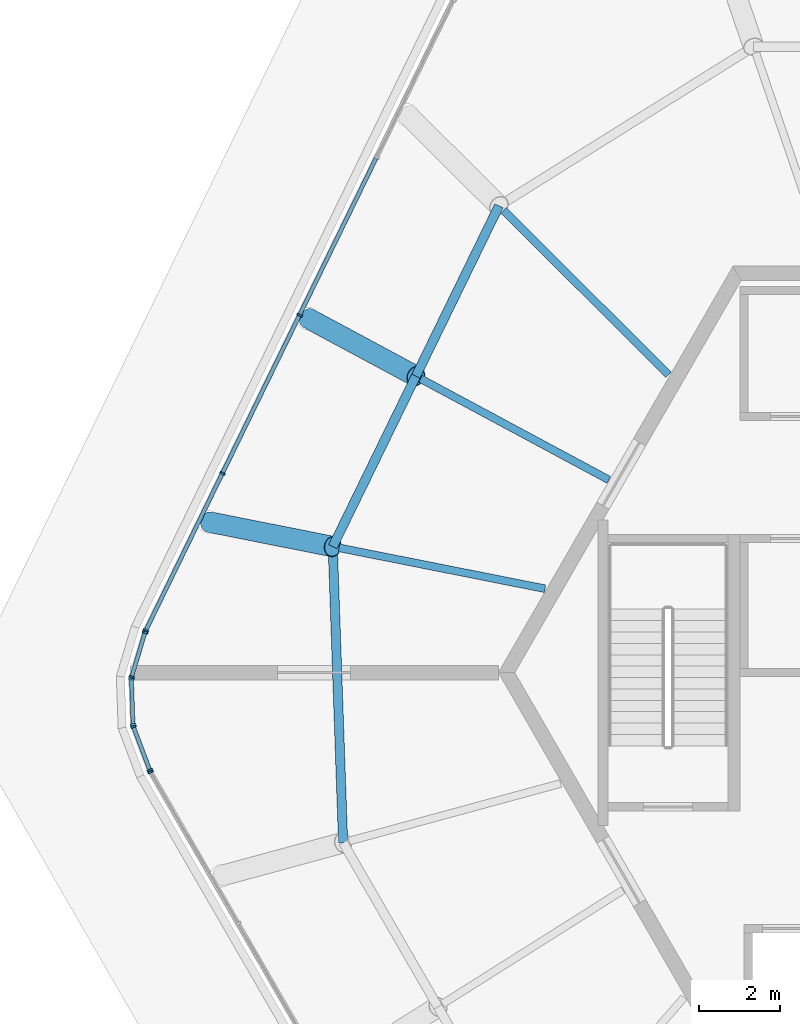
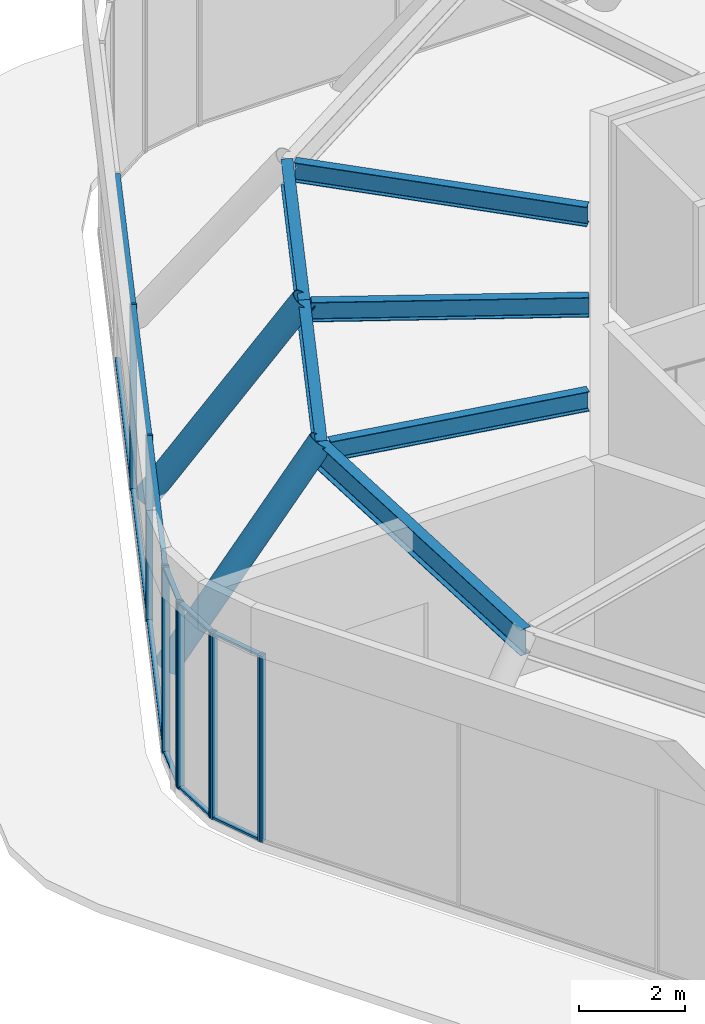
# One storey, part 3 of 12: 24 members, 6 beams, 5 elements without a shape of their own.
"""IFC4 building model written with IfcOpenShell, lengths in metres."""

from ifc_helpers import new_model, si_unit, direction, frame, origin, origin_2d, place, context, subcontext, project, spatial, rectangle, hollow_circle, i_section, extrude, material, material_profile, profile_set, type_object, element, aggregate, save


model = new_model("IFC4")

# Units and contexts
model_context = context("Model", 3, precision=1e-05, world=origin(), true_north=direction((0.0, 1.0)))
body_context = subcontext(model_context, "Body", "Model", "MODEL_VIEW")
ifc_project = project(units=[si_unit("LENGTHUNIT", "METRE"), si_unit("AREAUNIT", "SQUARE_METRE"), si_unit("VOLUMEUNIT", "CUBIC_METRE"), si_unit("PLANEANGLEUNIT", "RADIAN"), si_unit("MASSUNIT", "GRAM", prefix="KILO")], contexts=[model_context])

# Site, building, storey
site_placement = place(None, origin())
site = spatial("IfcSite", under=ifc_project, at=site_placement, CompositionType="ELEMENT")
building_placement = place(site_placement, origin())
building = spatial("IfcBuilding", under=site, at=building_placement, Name="Tarnside Tower", CompositionType="ELEMENT")
storey_placement = place(building_placement, frame((0.0, 0.0, 392.699951171875)))
storey = spatial("IfcBuildingStorey", under=building, at=storey_placement, Name="L93", CompositionType="ELEMENT", Elevation=392.699951171875)

# Curtain wall, member
ifc_material_1 = material(Name="Crown glazing wall", Category="glass")
curtain_wall_type = type_object("IfcCurtainWallType", Name="Crown glazing wall", PredefinedType="NOTDEFINED", material=ifc_material_1)
curtain_wall_1_placement = place(storey_placement, origin())
curtain_wall_1 = element("IfcCurtainWall", 1, at=curtain_wall_1_placement, inside=storey, type_object=curtain_wall_type, Name="Crown glazing L93 16", PredefinedType="NOTDEFINED")
ifc_material_2 = material(Name="Aluminium alloy 6063", Category="aluminium")
ifc_material_profile_1 = material_profile(ifc_material_2, rectangle(XDim=0.139892578125, YDim=0.050048828125, at=origin_2d()), Name="Crown glazing mullion 50 x 140")
ifc_profile_set_1 = profile_set([ifc_material_profile_1], Name="Aluminium alloy 6063")
member_type_1 = type_object("IfcMemberType", Name="Crown glazing mullion 50 x 140", PredefinedType="MULLION", material=ifc_profile_set_1)
member_1_placement = place(storey_placement, frame((-20.100341796875, -2.445068359375, 0.0), z_axis=(0.0, 0.0, 1.0), x_axis=(-0.866025403758, -0.500000000045, 0.0)))
member_1 = element("IfcMember", 2, at=member_1_placement, type_object=member_type_1, Name="CW6 mullion 5", PredefinedType="MULLION", context=body_context, shape_type="SweptSolid", body=[
    extrude(rectangle(XDim=0.139892578125, YDim=0.050048828125, at=origin_2d()), origin(), (0.0, 0.0, 1.0), 4.300048828125),
])
aggregate(curtain_wall_1, [member_1])

# Curtain wall, members
curtain_wall_2_placement = place(storey_placement, origin())
curtain_wall_2 = element("IfcCurtainWall", 3, at=curtain_wall_2_placement, inside=storey, type_object=curtain_wall_type, Name="Crown glazing L93 17", PredefinedType="NOTDEFINED")
member_2_placement = place(storey_placement, frame((-20.121826171875, -2.400146484375, 0.0), z_axis=(0.0, 0.0, 1.0), x_axis=(-0.935649515825, -0.352930564752, 0.0)))
member_2 = element("IfcMember", 4, at=member_2_placement, type_object=member_type_1, Name="CW6 mullion 1", PredefinedType="MULLION", context=body_context, shape_type="SweptSolid", body=[
    extrude(rectangle(XDim=0.139892578125, YDim=0.050048828125, at=origin_2d()), origin(), (0.0, 0.0, 1.0), 4.300048828125),
])
member_3_placement = place(storey_placement, frame((-20.525634765625, -1.3291015625, 0.0), z_axis=(0.0, 0.0, 1.0), x_axis=(-0.935649515825, -0.352930564752, 0.0)))
member_3 = element("IfcMember", 5, at=member_3_placement, type_object=member_type_1, Name="CW6 mullion 2", PredefinedType="MULLION", context=body_context, shape_type="SweptSolid", body=[
    extrude(rectangle(XDim=0.139892578125, YDim=0.050048828125, at=origin_2d()), origin(), (0.0, 0.0, 1.0), 4.300048828125),
])

curtain_wall_3_placement = place(storey_placement, origin())
curtain_wall_3 = element("IfcCurtainWall", 6, at=curtain_wall_3_placement, inside=storey, type_object=curtain_wall_type, Name="Crown glazing L93 18", PredefinedType="NOTDEFINED")
member_4_placement = place(storey_placement, frame((-20.535400390625, -1.28076171875, 0.0), z_axis=(0.0, 0.0, 1.0), x_axis=(-0.999390827034, -0.034899496266, 0.0)))
member_4 = element("IfcMember", 7, at=member_4_placement, type_object=member_type_1, Name="CW6 mullion 1", PredefinedType="MULLION", context=body_context, shape_type="SweptSolid", body=[
    extrude(rectangle(XDim=0.139892578125, YDim=0.050048828125, at=origin_2d()), origin(), (0.0, 0.0, 1.0), 4.300048828125),
])
member_5_placement = place(storey_placement, frame((-20.57470703125, -0.155029296875, 0.0), z_axis=(0.0, 0.0, 1.0), x_axis=(-0.999390827034, -0.034899496266, 0.0)))
member_5 = element("IfcMember", 8, at=member_5_placement, type_object=member_type_1, Name="CW6 mullion 2", PredefinedType="MULLION", context=body_context, shape_type="SweptSolid", body=[
    extrude(rectangle(XDim=0.139892578125, YDim=0.050048828125, at=origin_2d()), origin(), (0.0, 0.0, 1.0), 4.300048828125),
])

curtain_wall_4_placement = place(storey_placement, origin())
curtain_wall_4 = element("IfcCurtainWall", 9, at=curtain_wall_4_placement, inside=storey, type_object=curtain_wall_type, Name="Crown glazing L93 19", PredefinedType="NOTDEFINED")
member_6_placement = place(storey_placement, frame((-20.568359375, -0.10595703125, 0.0), z_axis=(0.0, 0.0, 1.0), x_axis=(-0.957989512329, 0.286803232667, 0.0)))
member_6 = element("IfcMember", 10, at=member_6_placement, type_object=member_type_1, Name="CW6 mullion 1", PredefinedType="MULLION", context=body_context, shape_type="SweptSolid", body=[
    extrude(rectangle(XDim=0.139892578125, YDim=0.050048828125, at=origin_2d()), origin(), (0.0, 0.0, 1.0), 4.300048828125),
])
member_7_placement = place(storey_placement, frame((-20.240234375, 0.990478515625, 0.0), z_axis=(0.0, 0.0, 1.0), x_axis=(-0.957989512329, 0.286803232667, 0.0)))
member_7 = element("IfcMember", 11, at=member_7_placement, type_object=member_type_1, Name="CW6 mullion 2", PredefinedType="MULLION", context=body_context, shape_type="SweptSolid", body=[
    extrude(rectangle(XDim=0.139892578125, YDim=0.050048828125, at=origin_2d()), origin(), (0.0, 0.0, 1.0), 4.300048828125),
])

curtain_wall_5_placement = place(storey_placement, origin())
curtain_wall_5 = element("IfcCurtainWall", 12, at=curtain_wall_5_placement, inside=storey, type_object=curtain_wall_type, Name="Crown glazing L93 20", PredefinedType="NOTDEFINED")
member_8_placement = place(storey_placement, frame((-20.221923828125, 1.037109375, 0.0), z_axis=(0.0, 0.0, 1.0), x_axis=(-0.898794046314, 0.438371146758, 0.0)))
member_8 = element("IfcMember", 13, at=member_8_placement, type_object=member_type_1, Name="CW6 mullion 1", PredefinedType="MULLION", context=body_context, shape_type="SweptSolid", body=[
    extrude(rectangle(XDim=0.139892578125, YDim=0.050048828125, at=origin_2d()), origin(), (0.0, 0.0, 1.0), 4.300048828125),
])
member_9_placement = place(storey_placement, frame((-18.3359375, 4.904052734375, 0.0), z_axis=(0.0, 0.0, 1.0), x_axis=(-0.898794046314, 0.438371146758, 0.0)))
member_9 = element("IfcMember", 14, at=member_9_placement, type_object=member_type_1, Name="CW6 mullion 2", PredefinedType="MULLION", context=body_context, shape_type="SweptSolid", body=[
    extrude(rectangle(XDim=0.139892578125, YDim=0.050048828125, at=origin_2d()), origin(), (0.0, 0.0, 1.0), 4.300048828125),
])
member_10_placement = place(storey_placement, frame((-16.438720703125, 8.793701171875, 0.0), z_axis=(0.0, 0.0, 1.0), x_axis=(-0.898794046314, 0.438371146758, 0.0)))
member_10 = element("IfcMember", 15, at=member_10_placement, type_object=member_type_1, Name="CW6 mullion 3", PredefinedType="MULLION", context=body_context, shape_type="SweptSolid", body=[
    extrude(rectangle(XDim=0.139892578125, YDim=0.050048828125, at=origin_2d()), origin(), (0.0, 0.0, 1.0), 4.300048828125),
])

# Member
ifc_material_profile_2 = material_profile(ifc_material_2, rectangle(XDim=0.10009765625, YDim=0.050048828125, at=origin_2d()), Name="Crown glazing transom 50 x 100")
ifc_profile_set_2 = profile_set([ifc_material_profile_2], Name="Aluminium alloy 6063")
member_type_2 = type_object("IfcMemberType", Name="Crown glazing transom 50 x 100", PredefinedType="USERDEFINED", material=ifc_profile_set_2)
member_11_placement = place(storey_placement, frame((-20.130615234375, -2.376708984375, 0.025146484375), z_axis=(-0.352858317427, 0.935676764606, 0.0), x_axis=(-0.935676764606, -0.352858317427, 0.0)))
member_11 = element("IfcMember", 16, at=member_11_placement, type_object=member_type_2, Name="CW6 transom 1.1", ObjectType="TRANSOM", PredefinedType="USERDEFINED", context=body_context, shape_type="SweptSolid", body=[
    extrude(rectangle(XDim=0.10009765625, YDim=0.050048828125, at=origin_2d()), origin(), (0.0, 0.0, 1.0), 1.094482421875),
])

member_12_placement = place(storey_placement, frame((-20.130615234375, -2.376708984375, 4.275146484375), z_axis=(-0.352858317427, 0.935676764606, 0.0), x_axis=(-0.935676764606, -0.352858317427, 0.0)))
member_12 = element("IfcMember", 17, at=member_12_placement, type_object=member_type_2, Name="CW6 transom 1.2", ObjectType="TRANSOM", PredefinedType="USERDEFINED", context=body_context, shape_type="SweptSolid", body=[
    extrude(rectangle(XDim=0.10009765625, YDim=0.050048828125, at=origin_2d()), origin(), (0.0, 0.0, 1.0), 1.094482421875),
])

aggregate(curtain_wall_2, [member_2, member_3, member_11, member_12])

member_13_placement = place(storey_placement, frame((-20.536376953125, -1.255615234375, 0.025146484375), z_axis=(-0.034704456581, 0.999397618915, 0.0), x_axis=(-0.999397618915, -0.034704456581, 0.0)))
member_13 = element("IfcMember", 18, at=member_13_placement, type_object=member_type_2, Name="CW6 transom 1.1", ObjectType="TRANSOM", PredefinedType="USERDEFINED", context=body_context, shape_type="SweptSolid", body=[
    extrude(rectangle(XDim=0.10009765625, YDim=0.050048828125, at=origin_2d()), origin(), (0.0, 0.0, 1.0), 1.076416015625),
])

member_14_placement = place(storey_placement, frame((-20.536376953125, -1.255615234375, 4.275146484375), z_axis=(-0.034704456581, 0.999397618915, 0.0), x_axis=(-0.999397618915, -0.034704456581, 0.0)))
member_14 = element("IfcMember", 19, at=member_14_placement, type_object=member_type_2, Name="CW6 transom 1.2", ObjectType="TRANSOM", PredefinedType="USERDEFINED", context=body_context, shape_type="SweptSolid", body=[
    extrude(rectangle(XDim=0.10009765625, YDim=0.050048828125, at=origin_2d()), origin(), (0.0, 0.0, 1.0), 1.076416015625),
])

aggregate(curtain_wall_3, [member_4, member_5, member_13, member_14])

member_15_placement = place(storey_placement, frame((-20.561279296875, -0.08203125, 0.025146484375), z_axis=(0.286836272763, 0.957979620153, 0.0), x_axis=(-0.957979620153, 0.286836272763, 0.0)))
member_15 = element("IfcMember", 20, at=member_15_placement, type_object=member_type_2, Name="CW6 transom 1.1", ObjectType="TRANSOM", PredefinedType="USERDEFINED", context=body_context, shape_type="SweptSolid", body=[
    extrude(rectangle(XDim=0.10009765625, YDim=0.050048828125, at=origin_2d()), origin(), (0.0, 0.0, 1.0), 1.094482421875),
])

member_16_placement = place(storey_placement, frame((-20.561279296875, -0.08203125, 4.275146484375), z_axis=(0.286836272763, 0.957979620153, 0.0), x_axis=(-0.957979620153, 0.286836272763, 0.0)))
member_16 = element("IfcMember", 21, at=member_16_placement, type_object=member_type_2, Name="CW6 transom 1.2", ObjectType="TRANSOM", PredefinedType="USERDEFINED", context=body_context, shape_type="SweptSolid", body=[
    extrude(rectangle(XDim=0.10009765625, YDim=0.050048828125, at=origin_2d()), origin(), (0.0, 0.0, 1.0), 1.094482421875),
])

aggregate(curtain_wall_4, [member_6, member_7, member_15, member_16])

member_17_placement = place(storey_placement, frame((-20.2109375, 1.0595703125, 0.025146484375), z_axis=(0.438350105186, 0.89880430867, 0.0), x_axis=(-0.89880430867, 0.438350105186, 0.0)))
member_17 = element("IfcMember", 22, at=member_17_placement, type_object=member_type_2, Name="CW6 transom 1.1", ObjectType="TRANSOM", PredefinedType="USERDEFINED", context=body_context, shape_type="SweptSolid", body=[
    extrude(rectangle(XDim=0.10009765625, YDim=0.050048828125, at=origin_2d()), origin(), (0.0, 0.0, 1.0), 4.25244140625),
])

member_18_placement = place(storey_placement, frame((-20.2109375, 1.0595703125, 4.275146484375), z_axis=(0.438350105186, 0.89880430867, 0.0), x_axis=(-0.89880430867, 0.438350105186, 0.0)))
member_18 = element("IfcMember", 23, at=member_18_placement, type_object=member_type_2, Name="CW6 transom 1.2", ObjectType="TRANSOM", PredefinedType="USERDEFINED", context=body_context, shape_type="SweptSolid", body=[
    extrude(rectangle(XDim=0.10009765625, YDim=0.050048828125, at=origin_2d()), origin(), (0.0, 0.0, 1.0), 4.25244140625),
])

member_19_placement = place(storey_placement, frame((-18.324951171875, 4.926513671875, 0.025146484375), z_axis=(0.438379777508, 0.898789836765, 0.0), x_axis=(-0.898789836765, 0.438379777508, 0.0)))
member_19 = element("IfcMember", 24, at=member_19_placement, type_object=member_type_2, Name="CW6 transom 2.1", ObjectType="TRANSOM", PredefinedType="USERDEFINED", context=body_context, shape_type="SweptSolid", body=[
    extrude(rectangle(XDim=0.10009765625, YDim=0.050048828125, at=origin_2d()), origin(), (0.0, 0.0, 1.0), 4.277587890625),
])

member_20_placement = place(storey_placement, frame((-18.324951171875, 4.926513671875, 4.275146484375), z_axis=(0.438379777508, 0.898789836765, 0.0), x_axis=(-0.898789836765, 0.438379777508, 0.0)))
member_20 = element("IfcMember", 25, at=member_20_placement, type_object=member_type_2, Name="CW6 transom 2.2", ObjectType="TRANSOM", PredefinedType="USERDEFINED", context=body_context, shape_type="SweptSolid", body=[
    extrude(rectangle(XDim=0.10009765625, YDim=0.050048828125, at=origin_2d()), origin(), (0.0, 0.0, 1.0), 4.277587890625),
])

member_21_placement = place(storey_placement, frame((-16.427734375, 8.816162109375, 0.025146484375), z_axis=(0.438333670669, 0.898812323657, 0.0), x_axis=(-0.898812323657, 0.438333670669, 0.0)))
member_21 = element("IfcMember", 26, at=member_21_placement, type_object=member_type_2, Name="CW6 transom 3.1", ObjectType="TRANSOM", PredefinedType="USERDEFINED", context=body_context, shape_type="SweptSolid", body=[
    extrude(rectangle(XDim=0.10009765625, YDim=0.050048828125, at=origin_2d()), origin(), (0.0, 0.0, 1.0), 4.277587890625),
])

member_22_placement = place(storey_placement, frame((-16.427734375, 8.816162109375, 4.275146484375), z_axis=(0.438333670669, 0.898812323657, 0.0), x_axis=(-0.898812323657, 0.438333670669, 0.0)))
member_22 = element("IfcMember", 27, at=member_22_placement, type_object=member_type_2, Name="CW6 transom 3.2", ObjectType="TRANSOM", PredefinedType="USERDEFINED", context=body_context, shape_type="SweptSolid", body=[
    extrude(rectangle(XDim=0.10009765625, YDim=0.050048828125, at=origin_2d()), origin(), (0.0, 0.0, 1.0), 4.277587890625),
])

aggregate(curtain_wall_5, [member_8, member_9, member_10, member_17, member_18, member_19, member_20, member_21, member_22])

# Beams
ifc_material_3 = material(Name="Steel S355", Category="steel")
ifc_material_profile_3 = material_profile(ifc_material_3, i_section(OverallWidth=0.18994140625, OverallDepth=0.453369140625, WebThickness=0.008544921875, FlangeThickness=0.0126953125, FilletRadius=0.01025390625, at=origin_2d()), Name="UB 457x191x67")
ifc_profile_set_3 = profile_set([ifc_material_profile_3], Name="Steel S355")
beam_type_1 = type_object("IfcBeamType", Name="Floor beam UB 457x191x67", PredefinedType="BEAM", material=ifc_profile_set_3)
beam_1_placement = place(storey_placement, frame((-11.4189453125, 11.371826171875, 4.0732421875), z_axis=(0.708575591595, -0.705634913391, 0.0), x_axis=(0.705634913391, 0.708575591595, 0.0)))
element("IfcBeam", 28, at=beam_1_placement, inside=storey, type_object=beam_type_1, Name="Floor beam RB4", PredefinedType="BEAM", context=body_context, shape_type="SweptSolid", body=[
    extrude(i_section(OverallWidth=0.18994140625, OverallDepth=0.453369140625, WebThickness=0.008544921875, FlangeThickness=0.0126953125, FilletRadius=0.01025390625, at=origin_2d()), origin(), (0.0, 0.0, 1.0), 5.728515625),
])
beam_2_placement = place(storey_placement, frame((-13.458984375, 7.22998046875, 4.0732421875), z_axis=(0.880937745253, -0.473232172394, 0.0), x_axis=(0.473232172394, 0.880937745253, 0.0)))
element("IfcBeam", 29, at=beam_2_placement, inside=storey, type_object=beam_type_1, Name="Floor beam RB5", PredefinedType="BEAM", context=body_context, shape_type="SweptSolid", body=[
    extrude(i_section(OverallWidth=0.18994140625, OverallDepth=0.453369140625, WebThickness=0.008544921875, FlangeThickness=0.0126953125, FilletRadius=0.01025390625, at=origin_2d()), origin(), (0.0, 0.0, 1.0), 5.25341796875),
])
beam_3_placement = place(storey_placement, frame((-15.466796875, 3.07080078125, 4.0732421875), z_axis=(0.980859541719, -0.194716613104, 0.0), x_axis=(0.194716613104, 0.980859541719, 0.0)))
element("IfcBeam", 30, at=beam_3_placement, inside=storey, type_object=beam_type_1, Name="Floor beam RB6", PredefinedType="BEAM", context=body_context, shape_type="SweptSolid", body=[
    extrude(i_section(OverallWidth=0.18994140625, OverallDepth=0.453369140625, WebThickness=0.008544921875, FlangeThickness=0.0126953125, FilletRadius=0.01025390625, at=origin_2d()), origin(), (0.0, 0.0, 1.0), 5.1669921875),
])
ifc_material_profile_4 = material_profile(ifc_material_3, i_section(OverallWidth=0.2275390625, OverallDepth=0.6025390625, WebThickness=0.010498046875, FlangeThickness=0.014892578125, FilletRadius=0.0126953125, at=origin_2d()), Name="UB 610x229x101")
ifc_profile_set_4 = profile_set([ifc_material_profile_4], Name="Steel S355")
beam_type_2 = type_object("IfcBeamType", Name="Floor beam UB 610x229x101", PredefinedType="BEAM", material=ifc_profile_set_4)
beam_4_placement = place(storey_placement, frame((-11.532470703125, 11.485107421875, 3.998779296875), z_axis=(-0.438355561779, -0.898801647449, 0.0), x_axis=(0.898801647449, -0.438355561779, 0.0)))
element("IfcBeam", 31, at=beam_4_placement, inside=storey, type_object=beam_type_2, Name="Floor beam R4", PredefinedType="BEAM", context=body_context, shape_type="SweptSolid", body=[
    extrude(i_section(OverallWidth=0.2275390625, OverallDepth=0.6025390625, WebThickness=0.010498046875, FlangeThickness=0.014892578125, FilletRadius=0.0126953125, at=origin_2d()), origin(), (0.0, 0.0, 1.0), 4.663818359375),
])
beam_5_placement = place(storey_placement, frame((-13.576904296875, 7.293212890625, 3.998779296875), z_axis=(-0.438376187158, -0.898791587929, 0.0), x_axis=(0.898791587929, -0.438376187158, 0.0)))
element("IfcBeam", 32, at=beam_5_placement, inside=storey, type_object=beam_type_2, Name="Floor beam R5", PredefinedType="BEAM", context=body_context, shape_type="SweptSolid", body=[
    extrude(i_section(OverallWidth=0.2275390625, OverallDepth=0.6025390625, WebThickness=0.010498046875, FlangeThickness=0.014892578125, FilletRadius=0.0126953125, at=origin_2d()), origin(), (0.0, 0.0, 1.0), 4.66357421875),
])
beam_6_placement = place(storey_placement, frame((-15.621337890625, 3.1015625, 3.998779296875), z_axis=(0.034898300445, -0.999390868793, 0.0), x_axis=(0.999390868793, 0.034898300445, 0.0)))
element("IfcBeam", 33, at=beam_6_placement, inside=storey, type_object=beam_type_2, Name="Floor beam R6", PredefinedType="BEAM", context=body_context, shape_type="SweptSolid", body=[
    extrude(i_section(OverallWidth=0.2275390625, OverallDepth=0.6025390625, WebThickness=0.010498046875, FlangeThickness=0.014892578125, FilletRadius=0.0126953125, at=origin_2d()), origin(), (0.0, 0.0, 1.0), 7.28955078125),
])

# Members
ifc_material_profile_5 = material_profile(ifc_material_3, hollow_circle(Radius=0.25390625, WallThickness=0.01611328125, at=origin_2d()), Name="CHS 508x16")
ifc_profile_set_5 = profile_set([ifc_material_profile_5], Name="Steel S355")
member_type_3 = type_object("IfcMemberType", Name="Truss diagonal CHS 508x16", PredefinedType="BRACE", material=ifc_profile_set_5)
member_23_placement = place(storey_placement, frame((-16.2216796875, 8.714111328125, -0.199951171875), z_axis=(0.48890391507, -0.26266230829, 0.831854238213), x_axis=(0.473270393632, 0.880917212064, 0.0)))
element("IfcMember", 34, at=member_23_placement, inside=storey, type_object=member_type_3, Name="Crown leg L93 5", PredefinedType="BRACE", context=body_context, shape_type="SweptSolid", body=[
    extrude(hollow_circle(Radius=0.25390625, WallThickness=0.01611328125, at=origin_2d()), origin(), (0.0, 0.0, 1.0), 5.40966796875),
])
member_24_placement = place(storey_placement, frame((-18.66455078125, 3.705810546875, -0.199951171875), z_axis=(0.556761526428, -0.110548317522, 0.823283470126), x_axis=(0.194754029692, 0.980852113174, 0.0)))
element("IfcMember", 35, at=member_24_placement, inside=storey, type_object=member_type_3, Name="Crown leg L93 6", PredefinedType="BRACE", context=body_context, shape_type="SweptSolid", body=[
    extrude(hollow_circle(Radius=0.25390625, WallThickness=0.01611328125, at=origin_2d()), origin(), (0.0, 0.0, 1.0), 5.4658203125),
])

save(model, "model.ifc")
